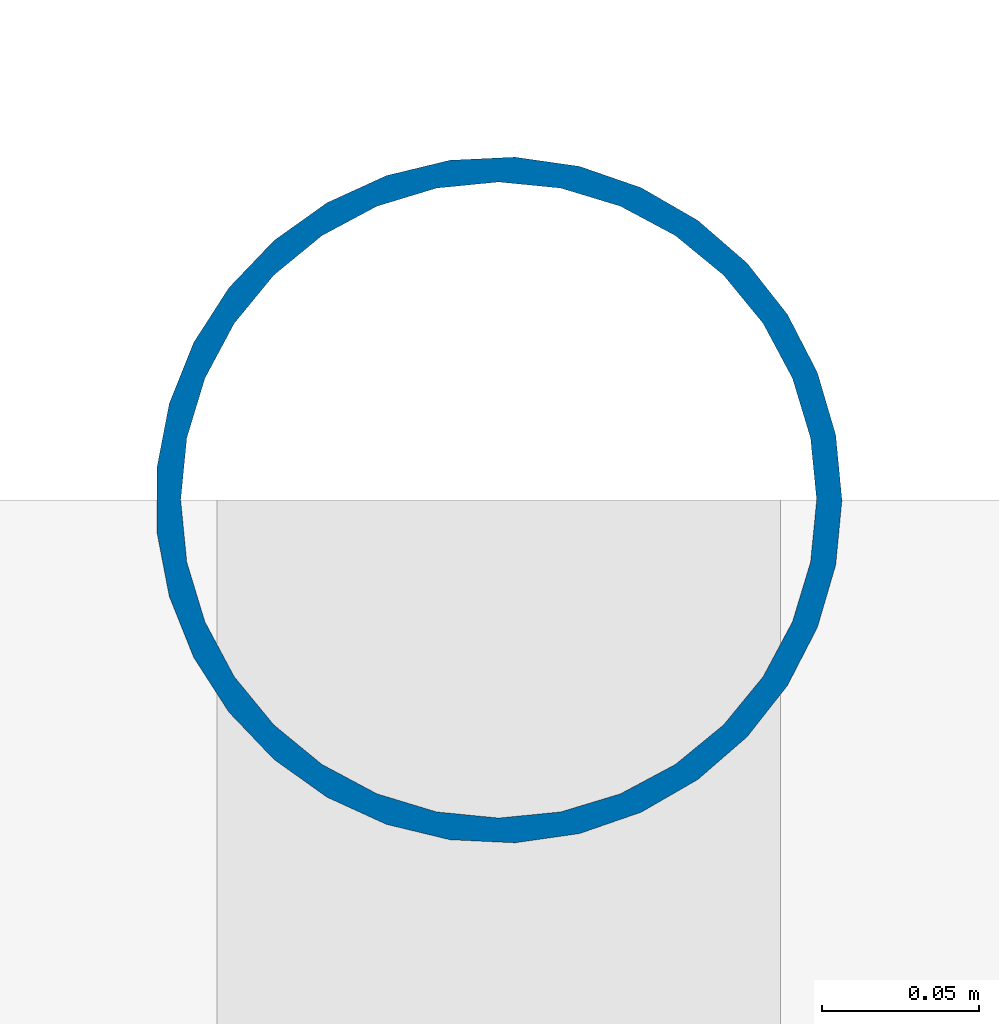
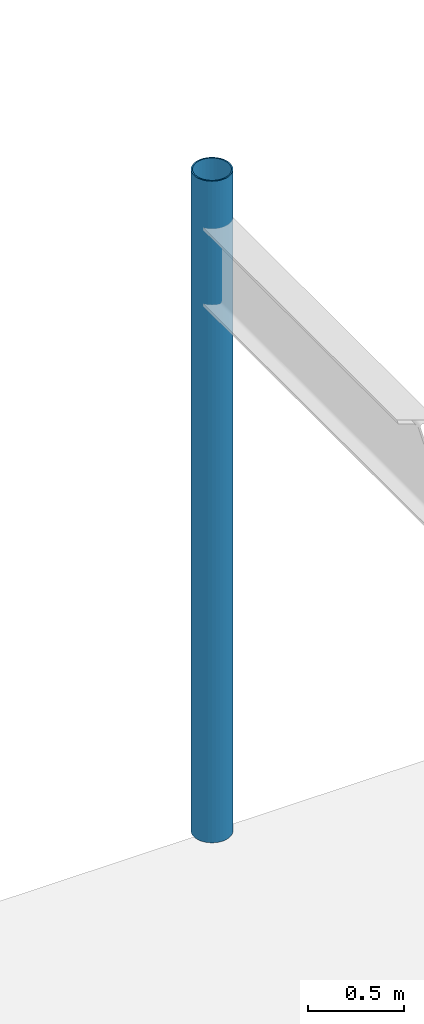
# One storey, part 9 of 116: 1 column.
"""IFC4 building model written with IfcOpenShell, lengths in metres."""

from ifc_helpers import new_model, si_unit, direction, frame, origin, origin_2d, place, context, subcontext, project, spatial, hollow_circle, extrude, material, material_profile, profile_set, type_object, element, save


model = new_model("IFC4")

# Units and contexts
model_context = context("Model", 3, precision=1e-05, world=origin(), true_north=direction((0.0, 1.0)))
body_context = subcontext(model_context, "Body", "Model", "MODEL_VIEW")
ifc_project = project(units=[si_unit("LENGTHUNIT", "METRE"), si_unit("AREAUNIT", "SQUARE_METRE"), si_unit("VOLUMEUNIT", "CUBIC_METRE"), si_unit("PLANEANGLEUNIT", "RADIAN"), si_unit("MASSUNIT", "GRAM", prefix="KILO")], contexts=[model_context])

# Site, building, storey
site_placement = place(None, origin())
site = spatial("IfcSite", under=ifc_project, at=site_placement, CompositionType="ELEMENT")
building_placement = place(site_placement, origin())
building = spatial("IfcBuilding", under=site, at=building_placement, Name="Varnakota Square Police Headquarters", CompositionType="ELEMENT")
storey_placement = place(building_placement, frame((0.0, 0.0, 9.300048828125)))
storey = spatial("IfcBuildingStorey", under=building, at=storey_placement, Name="L02", CompositionType="ELEMENT", Elevation=9.300048828125)

# Column
ifc_material = material(Name="Steel IS 2062 Grade 350", Category="steel")
ifc_material_profile = material_profile(ifc_material, hollow_circle(Radius=0.109619140625, WallThickness=0.008056640625, at=origin_2d()), Name="CHS 219.1x8.0")
ifc_profile_set = profile_set([ifc_material_profile], Name="Steel IS 2062 Grade 350")
column_type = type_object("IfcColumnType", Name="COL-CHS219", PredefinedType="COLUMN", material=ifc_profile_set)
column_placement = place(storey_placement, frame((102.0, 21.0, 0.0), z_axis=(0.0, 0.0, 1.0), x_axis=(1.0, 0.0, 0.0)))
element("IfcColumn", 1, at=column_placement, inside=storey, type_object=column_type, Name="Column X1020-Y0210 L02", PredefinedType="COLUMN", context=body_context, shape_type="SweptSolid", body=[
    extrude(hollow_circle(Radius=0.109619140625, WallThickness=0.008056640625, at=origin_2d()), origin(), (0.0, 0.0, 1.0), 4.199951171875),
])

save(model, "model.ifc")
